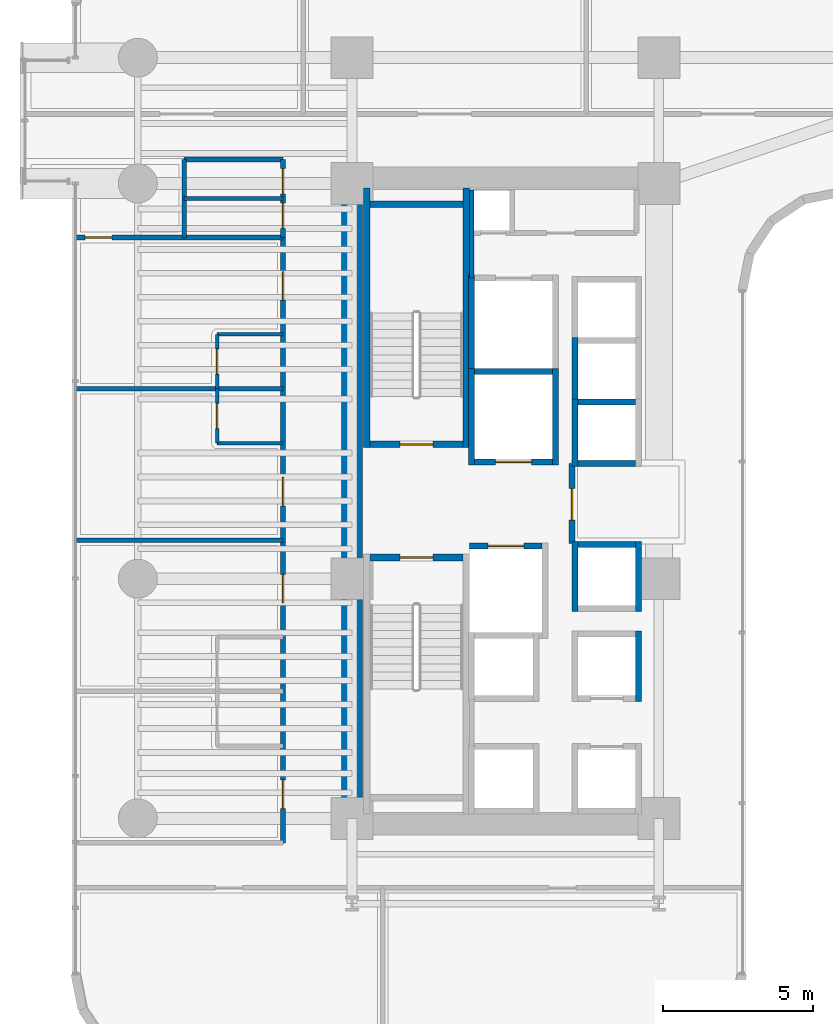
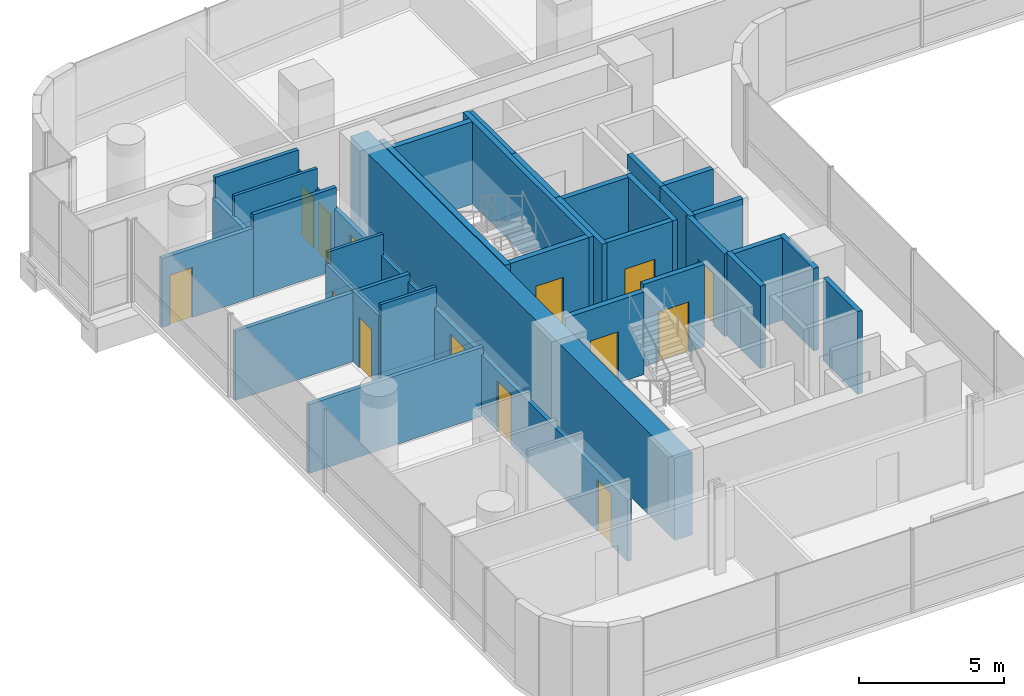
# One storey, part 32 of 40: 35 walls, 14 doors, 14 openings.
"""IFC4 building model written with IfcOpenShell, lengths in metres."""

from ifc_helpers import new_model, si_unit, direction, frame, frame_2d, origin, place, context, subcontext, project, spatial, rectangle, extrude, material, layer, layer_set, type_object, element, fill, save


model = new_model("IFC4")

# Units and contexts
model_context = context("Model", 3, precision=1e-05, world=origin(), true_north=direction((0.0, 1.0)))
body_context = subcontext(model_context, "Body", "Model", "MODEL_VIEW")
ifc_project = project(units=[si_unit("LENGTHUNIT", "METRE"), si_unit("AREAUNIT", "SQUARE_METRE"), si_unit("VOLUMEUNIT", "CUBIC_METRE"), si_unit("PLANEANGLEUNIT", "RADIAN"), si_unit("MASSUNIT", "GRAM", prefix="KILO")], contexts=[model_context])

# Site, building, storey
site_placement = place(None, origin())
site = spatial("IfcSite", under=ifc_project, at=site_placement, CompositionType="ELEMENT")
building_placement = place(site_placement, origin())
building = spatial("IfcBuilding", under=site, at=building_placement, Name="Valdorenza Pilgrim Sanctuary Tower", CompositionType="ELEMENT")
storey_placement = place(building_placement, frame((0.0, 0.0, 81.5)))
storey = spatial("IfcBuildingStorey", under=building, at=storey_placement, Name="L20", CompositionType="ELEMENT", Elevation=81.5)

# Walls
ifc_material_1 = material(Name="Acoustic twin-stud gypsum partition", Category="gypsum")
ifc_layer_1 = layer(ifc_material_1, 0.159912109375, Name="Acoustic twin-stud gypsum partition")
ifc_layer_set_1 = layer_set([ifc_layer_1], Name="Acoustic twin-stud gypsum partition")
wall_type_1 = type_object("IfcWallType", Name="WAL-COR-160", PredefinedType="PARTITIONING", material=ifc_layer_set_1)
wall_1_placement = place(storey_placement, frame((-18.64990234375, 7.449951171875, 0.0), z_axis=(0.0, 0.0, 1.0), x_axis=(0.0, 1.0, 0.0)))
element("IfcWall", 1, at=wall_1_placement, inside=storey, type_object=wall_type_1, Name="L20 Core A North Service West Wall", PredefinedType="PARTITIONING", context=body_context, shape_type="SweptSolid", body=[
    extrude(rectangle(XDim=2.929931640625, YDim=0.159912109375, at=frame_2d((1.46484375, 0.0))), origin(), (0.0, 0.0, 1.0), 3.4599609375),
])
wall_2_placement = place(storey_placement, frame((-28.25, 8.800048828125, 0.0), z_axis=(0.0, 0.0, 1.0), x_axis=(0.0, 1.0, 0.0)))
element("IfcWall", 2, at=wall_2_placement, inside=storey, type_object=wall_type_1, Name="L20 Washroom West Wall", PredefinedType="PARTITIONING", context=body_context, shape_type="SweptSolid", body=[
    extrude(rectangle(XDim=2.599853515625, YDim=0.159912109375, at=frame_2d((1.2998046875, 0.0))), origin(), (0.0, 0.0, 1.0), 2.5830078125),
])

# Wall, openings, doors
wall_3_placement = place(storey_placement, frame((-24.949951171875, 8.800048828125, 0.0), z_axis=(0.0, 0.0, 1.0), x_axis=(0.0, 1.0, 0.0)))
wall_3 = element("IfcWall", 3, at=wall_3_placement, inside=storey, type_object=wall_type_1, Name="L20 Washroom East Wall", PredefinedType="PARTITIONING", context=body_context, shape_type="SweptSolid", body=[
    extrude(rectangle(XDim=2.599853515625, YDim=0.159912109375, at=frame_2d((1.2998046875, 0.0))), origin(), (0.0, 0.0, 1.0), 2.5830078125),
])
opening_1_placement = place(wall_3_placement, frame((0.300048828125, 0.0, 0.0)))
opening_1 = element("IfcOpeningElement", 4, at=opening_1_placement, cuts=wall_3, Name="Opening DR-WC1", PredefinedType="OPENING", context=body_context, shape_type="SweptSolid", body=[
    extrude(rectangle(XDim=0.85009765625, YDim=2.10009765625, at=frame_2d((0.425048828125, 1.050048828125))), frame((0.0, 0.0947265625, 0.0), z_axis=(0.0, -1.0, 0.0), x_axis=(1.0, 0.0, 0.0)), (0.0, 0.0, 1.0), 0.189697265625),
])
opening_2_placement = place(wall_3_placement, frame((1.449951171875, 0.0, 0.0)))
opening_2 = element("IfcOpeningElement", 5, at=opening_2_placement, cuts=wall_3, Name="Opening DR-WC1", PredefinedType="OPENING", context=body_context, shape_type="SweptSolid", body=[
    extrude(rectangle(XDim=0.85009765625, YDim=2.10009765625, at=frame_2d((0.425048828125, 1.050048828125))), frame((0.0, 0.0947265625, 0.0), z_axis=(0.0, -1.0, 0.0), x_axis=(1.0, 0.0, 0.0)), (0.0, 0.0, 1.0), 0.189697265625),
])
ifc_material_2 = material(Name="Moisture-resistant lacquered timber", Category="wood")
door_type_1 = type_object("IfcDoorType", Name="DR-BATH-850", OperationType="NOTDEFINED", PredefinedType="DOOR", material=ifc_material_2)
door_1_placement = place(opening_1_placement, origin())
door_1 = element("IfcDoor", 6, at=door_1_placement, inside=storey, type_object=door_type_1, Name="L20 Accessible Washroom Door", OperationType="SINGLE_SWING_LEFT", OverallHeight=2.10009765625, OverallWidth=0.85009765625, PredefinedType="DOOR", context=body_context, shape_type="SweptSolid", body=[
    extrude(rectangle(XDim=0.85009765625, YDim=2.10009765625, at=frame_2d((0.425048828125, 1.050048828125))), frame((0.0, 0.02490234375, 0.0), z_axis=(0.0, -1.0, 0.0), x_axis=(1.0, 0.0, 0.0)), (0.0, 0.0, 1.0), 0.050048828125),
])
fill(opening_1, door_1)
door_2_placement = place(opening_2_placement, origin())
door_2 = element("IfcDoor", 7, at=door_2_placement, inside=storey, type_object=door_type_1, Name="L20 Public Washroom Door", OperationType="SINGLE_SWING_RIGHT", OverallHeight=2.10009765625, OverallWidth=0.85009765625, PredefinedType="DOOR", context=body_context, shape_type="SweptSolid", body=[
    extrude(rectangle(XDim=0.85009765625, YDim=2.10009765625, at=frame_2d((0.425048828125, 1.050048828125))), frame((0.0, 0.02490234375, 0.0), z_axis=(0.0, -1.0, 0.0), x_axis=(1.0, 0.0, 0.0)), (0.0, 0.0, 1.0), 0.050048828125),
])
fill(opening_2, door_2)

# Walls
for number, where, z_axis, x_axis, name in (
    (8, (-28.25, 8.800048828125, 0.0), (0.0, 0.0, 1.0), (1.0, 0.0, 0.0), "L20 Washroom South Wall"),
    (9, (-28.25, 11.39990234375, 0.0), (0.0, 0.0, 1.0), (1.0, 0.0, 0.0), "L20 Washroom North Wall"),
):
    element("IfcWall", number, at=place(storey_placement, frame(where, z_axis=z_axis, x_axis=x_axis)), inside=storey, type_object=wall_type_1, Name=name, PredefinedType="PARTITIONING", context=body_context, shape_type="SweptSolid", body=[
        extrude(rectangle(XDim=3.300048828125, YDim=0.159912109375, at=frame_2d((1.64990234375, 0.0))), origin(), (0.0, 0.0, 1.0), 3.4599609375),
    ])

# Wall, openings, doors
wall_4_placement = place(storey_placement, frame((-24.949951171875, -11.419921875, 0.0), z_axis=(0.0, 0.0, 1.0), x_axis=(0.0, 1.0, 0.0)))
wall_4 = element("IfcWall", 10, at=wall_4_placement, inside=storey, type_object=wall_type_1, Name="L20 West Wing Corridor Wall", PredefinedType="PARTITIONING", context=body_context, shape_type="SweptSolid", body=[
    extrude(rectangle(XDim=20.219970703125, YDim=0.159912109375, at=frame_2d((10.10986328125, 0.0))), origin(), (0.0, 0.0, 1.0), 2.5830078125),
])
opening_3_placement = place(wall_4_placement, frame((1.14208984375, 0.0, 0.0)))
opening_3 = element("IfcOpeningElement", 11, at=opening_3_placement, cuts=wall_4, Name="Opening DR-UN1", PredefinedType="OPENING", context=body_context, shape_type="SweptSolid", body=[
    extrude(rectangle(XDim=0.949951171875, YDim=2.14990234375, at=frame_2d((0.47509765625, 1.074951171875))), frame((0.0, 0.0947265625, 0.0), z_axis=(0.0, -1.0, 0.0), x_axis=(1.0, 0.0, 0.0)), (0.0, 0.0, 1.0), 0.189697265625),
])
opening_4_placement = place(wall_4_placement, frame((8.01806640625, 0.0, 0.0)))
opening_4 = element("IfcOpeningElement", 12, at=opening_4_placement, cuts=wall_4, Name="Opening DR-UN1", PredefinedType="OPENING", context=body_context, shape_type="SweptSolid", body=[
    extrude(rectangle(XDim=0.949951171875, YDim=2.14990234375, at=frame_2d((0.47509765625, 1.074951171875))), frame((0.0, 0.0947265625, 0.0), z_axis=(0.0, -1.0, 0.0), x_axis=(1.0, 0.0, 0.0)), (0.0, 0.0, 1.0), 0.189697265625),
])
opening_5_placement = place(wall_4_placement, frame((11.251953125, 0.0, 0.0)))
opening_5 = element("IfcOpeningElement", 13, at=opening_5_placement, cuts=wall_4, Name="Opening DR-UN1", PredefinedType="OPENING", context=body_context, shape_type="SweptSolid", body=[
    extrude(rectangle(XDim=0.949951171875, YDim=2.14990234375, at=frame_2d((0.47509765625, 1.074951171875))), frame((0.0, 0.0947265625, 0.0), z_axis=(0.0, -1.0, 0.0), x_axis=(1.0, 0.0, 0.0)), (0.0, 0.0, 1.0), 0.189697265625),
])
opening_6_placement = place(wall_4_placement, frame((18.126953125, 0.0, 0.0)))
opening_6 = element("IfcOpeningElement", 14, at=opening_6_placement, cuts=wall_4, Name="Opening DR-UN1", PredefinedType="OPENING", context=body_context, shape_type="SweptSolid", body=[
    extrude(rectangle(XDim=0.949951171875, YDim=2.14990234375, at=frame_2d((0.47509765625, 1.074951171875))), frame((0.0, 0.0947265625, 0.0), z_axis=(0.0, -1.0, 0.0), x_axis=(1.0, 0.0, 0.0)), (0.0, 0.0, 1.0), 0.189697265625),
])
ifc_material_3 = material(Name="Solid-core European oak timber", Category="wood")
door_type_2 = type_object("IfcDoorType", Name="DR-UNIT-950", OperationType="NOTDEFINED", PredefinedType="DOOR", material=ifc_material_3)
door_3_placement = place(opening_3_placement, origin())
door_3 = element("IfcDoor", 15, at=door_3_placement, inside=storey, type_object=door_type_2, Name="L20 Pilgrim Guest Room L20-W1 Entrance Door", OperationType="SINGLE_SWING_RIGHT", OverallHeight=2.14990234375, OverallWidth=0.949951171875, PredefinedType="DOOR", context=body_context, shape_type="SweptSolid", body=[
    extrude(rectangle(XDim=0.949951171875, YDim=2.14990234375, at=frame_2d((0.47509765625, 1.074951171875))), frame((0.0, 0.02490234375, 0.0), z_axis=(0.0, -1.0, 0.0), x_axis=(1.0, 0.0, 0.0)), (0.0, 0.0, 1.0), 0.050048828125),
])
fill(opening_3, door_3)
door_4_placement = place(opening_4_placement, origin())
door_4 = element("IfcDoor", 16, at=door_4_placement, inside=storey, type_object=door_type_2, Name="L20 Pilgrim Guest Room L20-W2 Entrance Door", OperationType="SINGLE_SWING_RIGHT", OverallHeight=2.14990234375, OverallWidth=0.949951171875, PredefinedType="DOOR", context=body_context, shape_type="SweptSolid", body=[
    extrude(rectangle(XDim=0.949951171875, YDim=2.14990234375, at=frame_2d((0.47509765625, 1.074951171875))), frame((0.0, 0.02490234375, 0.0), z_axis=(0.0, -1.0, 0.0), x_axis=(1.0, 0.0, 0.0)), (0.0, 0.0, 1.0), 0.050048828125),
])
fill(opening_4, door_4)
door_5_placement = place(opening_5_placement, origin())
door_5 = element("IfcDoor", 17, at=door_5_placement, inside=storey, type_object=door_type_2, Name="L20 Pilgrim Guest Room L20-W3 Entrance Door", OperationType="SINGLE_SWING_RIGHT", OverallHeight=2.14990234375, OverallWidth=0.949951171875, PredefinedType="DOOR", context=body_context, shape_type="SweptSolid", body=[
    extrude(rectangle(XDim=0.949951171875, YDim=2.14990234375, at=frame_2d((0.47509765625, 1.074951171875))), frame((0.0, 0.02490234375, 0.0), z_axis=(0.0, -1.0, 0.0), x_axis=(1.0, 0.0, 0.0)), (0.0, 0.0, 1.0), 0.050048828125),
])
fill(opening_5, door_5)
door_6_placement = place(opening_6_placement, origin())
door_6 = element("IfcDoor", 18, at=door_6_placement, inside=storey, type_object=door_type_2, Name="L20 Pilgrim Guest Room L20-W4 Entrance Door", OperationType="SINGLE_SWING_RIGHT", OverallHeight=2.14990234375, OverallWidth=0.949951171875, PredefinedType="DOOR", context=body_context, shape_type="SweptSolid", body=[
    extrude(rectangle(XDim=0.949951171875, YDim=2.14990234375, at=frame_2d((0.47509765625, 1.074951171875))), frame((0.0, 0.02490234375, 0.0), z_axis=(0.0, -1.0, 0.0), x_axis=(1.0, 0.0, 0.0)), (0.0, 0.0, 1.0), 0.050048828125),
])
fill(opening_6, door_6)

# Wall, opening, door
wall_5_placement = place(storey_placement, frame((-31.889892578125, 8.800048828125, 0.0), z_axis=(0.0, 0.0, 1.0), x_axis=(1.0, 0.0, 0.0)))
wall_5 = element("IfcWall", 19, at=wall_5_placement, inside=storey, type_object=wall_type_1, Name="L20 West North Alcove Wall", PredefinedType="PARTITIONING", context=body_context, shape_type="SweptSolid", body=[
    extrude(rectangle(XDim=3.639892578125, YDim=0.159912109375, at=frame_2d((1.81982421875, 0.0))), origin(), (0.0, 0.0, 1.0), 2.89599609375),
])
opening_7_placement = place(wall_5_placement, frame((0.320068359375, 0.0, 0.0)))
opening_7 = element("IfcOpeningElement", 20, at=opening_7_placement, cuts=wall_5, Name="Opening DR-RM1", PredefinedType="OPENING", context=body_context, shape_type="SweptSolid", body=[
    extrude(rectangle(XDim=0.89990234375, YDim=2.10009765625, at=frame_2d((0.449951171875, 1.050048828125))), frame((0.0, 0.0947265625, 0.0), z_axis=(0.0, -1.0, 0.0), x_axis=(1.0, 0.0, 0.0)), (0.0, 0.0, 1.0), 0.189697265625),
])
door_type_3 = type_object("IfcDoorType", Name="DR-ROOM-900", OperationType="NOTDEFINED", PredefinedType="DOOR", material=ifc_material_3)
door_7_placement = place(opening_7_placement, frame((0.89990234375, 0.0, 0.0), z_axis=(0.0, 0.0, 1.0), x_axis=(-1.0, 0.0, 0.0)))
door_7 = element("IfcDoor", 21, at=door_7_placement, inside=storey, type_object=door_type_3, Name="L20 Pilgrim Scholar Office L20-WN Door", OperationType="SINGLE_SWING_LEFT", OverallHeight=2.10009765625, OverallWidth=0.89990234375, PredefinedType="DOOR", context=body_context, shape_type="SweptSolid", body=[
    extrude(rectangle(XDim=0.89990234375, YDim=2.10009765625, at=frame_2d((0.449951171875, 1.050048828125))), frame((0.0, 0.02490234375, 0.0), z_axis=(0.0, -1.0, 0.0), x_axis=(1.0, 0.0, 0.0)), (0.0, 0.0, 1.0), 0.050048828125),
])
fill(opening_7, door_7)

# Wall
ifc_material_4 = material(Name="Concrete C60/75", Category="concrete")
ifc_layer_2 = layer(ifc_material_4, 0.699951171875, Name="Concrete C60/75")
ifc_layer_set_2 = layer_set([ifc_layer_2], Name="Concrete C60/75")
wall_type_2 = type_object("IfcWallType", Name="WAL-COR-700", PredefinedType="SHEAR", material=ifc_layer_set_2)
wall_6_placement = place(storey_placement, frame((-22.64990234375, -11.14990234375, 0.0), z_axis=(0.0, 0.0, 1.0), x_axis=(0.0, 1.0, 0.0)))
element("IfcWall", 22, at=wall_6_placement, inside=storey, type_object=wall_type_2, Name="L20 Split Core A Shear Wall W", PredefinedType="SHEAR", context=body_context, shape_type="SweptSolid", body=[
    extrude(rectangle(XDim=22.2998046875, YDim=0.699951171875, at=frame_2d((11.14990234375, 0.0))), origin(), (0.0, 0.0, 1.0), 3.4599609375),
])

# Wall, opening, door
ifc_material_5 = material(Name="Gypsum shaftwall partition", Category="gypsum")
ifc_layer_3 = layer(ifc_material_5, 0.199951171875, Name="Gypsum shaftwall partition")
ifc_layer_set_3 = layer_set([ifc_layer_3], Name="Gypsum shaftwall partition")
wall_type_3 = type_object("IfcWallType", Name="WAL-FFL-200", PredefinedType="PARTITIONING", material=ifc_layer_set_3)
wall_7_placement = place(storey_placement, frame((-15.300048828125, -1.419921875, 0.0), z_axis=(0.0, 0.0, 1.0), x_axis=(0.0, 1.0, 0.0)))
wall_7 = element("IfcWall", 23, at=wall_7_placement, inside=storey, type_object=wall_type_3, Name="L20 Core A Firefighting Lobby East Wall", PredefinedType="PARTITIONING", context=body_context, shape_type="SweptSolid", body=[
    extrude(rectangle(XDim=2.669921875, YDim=0.199951171875, at=frame_2d((1.3349609375, 0.0))), origin(), (0.0, 0.0, 1.0), 3.4599609375),
])
opening_8_placement = place(wall_7_placement, frame((0.780029296875, 0.0, 0.0)))
opening_8 = element("IfcOpeningElement", 24, at=opening_8_placement, cuts=wall_7, Name="Opening DR-FL1", PredefinedType="OPENING", context=body_context, shape_type="SweptSolid", body=[
    extrude(rectangle(XDim=1.050048828125, YDim=2.14990234375, at=frame_2d((0.52490234375, 1.074951171875))), frame((0.0, 0.11474609375, 0.0), z_axis=(0.0, -1.0, 0.0), x_axis=(1.0, 0.0, 0.0)), (0.0, 0.0, 1.0), 0.229736328125),
])
ifc_material_6 = material(Name="Painted galvanized steel", Category="steel")
door_type_4 = type_object("IfcDoorType", Name="DR-FFL-1050", OperationType="NOTDEFINED", PredefinedType="DOOR", material=ifc_material_6)
door_8_placement = place(opening_8_placement, origin())
door_8 = element("IfcDoor", 25, at=door_8_placement, inside=storey, type_object=door_type_4, Name="L20 Core A Firefighting Lobby Door", OperationType="SINGLE_SWING_RIGHT", OverallHeight=2.14990234375, OverallWidth=1.050048828125, PredefinedType="DOOR", context=body_context, shape_type="SweptSolid", body=[
    extrude(rectangle(XDim=1.050048828125, YDim=2.14990234375, at=frame_2d((0.52490234375, 1.074951171875))), frame((0.0, 0.02490234375, 0.0), z_axis=(0.0, -1.0, 0.0), x_axis=(1.0, 0.0, 0.0)), (0.0, 0.0, 1.0), 0.050048828125),
])
fill(opening_8, door_8)

# Walls
ifc_material_7 = material(Name="Moisture-resistant gypsum partition", Category="gypsum")
ifc_layer_4 = layer(ifc_material_7, 0.1201171875, Name="Moisture-resistant gypsum partition")
ifc_layer_set_4 = layer_set([ifc_layer_4], Name="Moisture-resistant gypsum partition")
wall_type_4 = type_object("IfcWallType", Name="WAL-INT-120", PredefinedType="PARTITIONING", material=ifc_layer_set_4)
wall_8_placement = place(storey_placement, frame((-28.25, 10.10009765625, 0.0), z_axis=(0.0, 0.0, 1.0), x_axis=(1.0, 0.0, 0.0)))
element("IfcWall", 26, at=wall_8_placement, inside=storey, type_object=wall_type_4, Name="L20 Washroom Divider Wall", PredefinedType="PARTITIONING", context=body_context, shape_type="SweptSolid", body=[
    extrude(rectangle(XDim=3.300048828125, YDim=0.1201171875, at=frame_2d((1.64990234375, 0.0))), origin(), (0.0, 0.0, 1.0), 3.4599609375),
])
wall_9_placement = place(storey_placement, frame((-27.14990234375, 1.925048828125, 0.0), z_axis=(0.0, 0.0, 1.0), x_axis=(1.0, 0.0, 0.0)))
element("IfcWall", 27, at=wall_9_placement, inside=storey, type_object=wall_type_4, Name="L20 Pilgrim Guest Room L20-W3 En-suite South Wall", PredefinedType="PARTITIONING", context=body_context, shape_type="SweptSolid", body=[
    extrude(rectangle(XDim=2.199951171875, YDim=0.1201171875, at=frame_2d((1.10009765625, 0.0))), origin(), (0.0, 0.0, 1.0), 3.4599609375),
])

# Wall, opening, door
wall_10_placement = place(storey_placement, frame((-27.14990234375, 1.925048828125, 0.0), z_axis=(0.0, 0.0, 1.0), x_axis=(0.0, 1.0, 0.0)))
wall_10 = element("IfcWall", 28, at=wall_10_placement, inside=storey, type_object=wall_type_4, Name="L20 Pilgrim Guest Room L20-W3 En-suite Door Wall", PredefinedType="PARTITIONING", context=body_context, shape_type="SweptSolid", body=[
    extrude(rectangle(XDim=1.820068359375, YDim=0.1201171875, at=frame_2d((0.91015625, 0.0))), origin(), (0.0, 0.0, 1.0), 2.97900390625),
])
opening_9_placement = place(wall_10_placement, frame((0.485107421875, 0.0, 0.0)))
opening_9 = element("IfcOpeningElement", 29, at=opening_9_placement, cuts=wall_10, Name="Opening DR-WC1", PredefinedType="OPENING", context=body_context, shape_type="SweptSolid", body=[
    extrude(rectangle(XDim=0.85009765625, YDim=2.10009765625, at=frame_2d((0.425048828125, 1.050048828125))), frame((0.0, 0.074951171875, 0.0), z_axis=(0.0, -1.0, 0.0), x_axis=(1.0, 0.0, 0.0)), (0.0, 0.0, 1.0), 0.14990234375),
])
door_9_placement = place(opening_9_placement, origin())
door_9 = element("IfcDoor", 30, at=door_9_placement, inside=storey, type_object=door_type_1, Name="L20 Pilgrim Guest Room L20-W3 En-suite Bathroom Door", OperationType="SINGLE_SWING_LEFT", OverallHeight=2.10009765625, OverallWidth=0.85009765625, PredefinedType="DOOR", context=body_context, shape_type="SweptSolid", body=[
    extrude(rectangle(XDim=0.85009765625, YDim=2.10009765625, at=frame_2d((0.425048828125, 1.050048828125))), frame((0.0, 0.02490234375, 0.0), z_axis=(0.0, -1.0, 0.0), x_axis=(1.0, 0.0, 0.0)), (0.0, 0.0, 1.0), 0.050048828125),
])
fill(opening_9, door_9)

# Wall
wall_11_placement = place(storey_placement, frame((-27.14990234375, 5.56494140625, 0.0), z_axis=(0.0, 0.0, 1.0), x_axis=(1.0, 0.0, 0.0)))
element("IfcWall", 31, at=wall_11_placement, inside=storey, type_object=wall_type_4, Name="L20 Pilgrim Guest Room L20-W4 En-suite North Wall", PredefinedType="PARTITIONING", context=body_context, shape_type="SweptSolid", body=[
    extrude(rectangle(XDim=2.199951171875, YDim=0.1201171875, at=frame_2d((1.10009765625, 0.0))), origin(), (0.0, 0.0, 1.0), 3.4599609375),
])

# Wall, opening, door
wall_12_placement = place(storey_placement, frame((-27.14990234375, 3.7451171875, 0.0), z_axis=(0.0, 0.0, 1.0), x_axis=(0.0, 1.0, 0.0)))
wall_12 = element("IfcWall", 32, at=wall_12_placement, inside=storey, type_object=wall_type_4, Name="L20 Pilgrim Guest Room L20-W4 En-suite Door Wall", PredefinedType="PARTITIONING", context=body_context, shape_type="SweptSolid", body=[
    extrude(rectangle(XDim=1.81982421875, YDim=0.1201171875, at=frame_2d((0.909912109375, 0.0))), origin(), (0.0, 0.0, 1.0), 2.97900390625),
])
opening_10_placement = place(wall_12_placement, frame((0.485107421875, 0.0, 0.0)))
opening_10 = element("IfcOpeningElement", 33, at=opening_10_placement, cuts=wall_12, Name="Opening DR-WC1", PredefinedType="OPENING", context=body_context, shape_type="SweptSolid", body=[
    extrude(rectangle(XDim=0.85009765625, YDim=2.10009765625, at=frame_2d((0.425048828125, 1.050048828125))), frame((0.0, 0.074951171875, 0.0), z_axis=(0.0, -1.0, 0.0), x_axis=(1.0, 0.0, 0.0)), (0.0, 0.0, 1.0), 0.14990234375),
])
door_10_placement = place(opening_10_placement, origin())
door_10 = element("IfcDoor", 34, at=door_10_placement, inside=storey, type_object=door_type_1, Name="L20 Pilgrim Guest Room L20-W4 En-suite Bathroom Door", OperationType="SINGLE_SWING_LEFT", OverallHeight=2.10009765625, OverallWidth=0.85009765625, PredefinedType="DOOR", context=body_context, shape_type="SweptSolid", body=[
    extrude(rectangle(XDim=0.85009765625, YDim=2.10009765625, at=frame_2d((0.425048828125, 1.050048828125))), frame((0.0, 0.02490234375, 0.0), z_axis=(0.0, -1.0, 0.0), x_axis=(1.0, 0.0, 0.0)), (0.0, 0.0, 1.0), 0.050048828125),
])
fill(opening_10, door_10)

# Walls
ifc_material_8 = material(Name="Autoclaved aerated concrete blockwork", Category="masonry")
ifc_layer_5 = layer(ifc_material_8, 0.199951171875, Name="Autoclaved aerated concrete blockwork")
ifc_layer_set_5 = layer_set([ifc_layer_5], Name="Autoclaved aerated concrete blockwork")
wall_type_5 = type_object("IfcWallType", Name="WAL-SHF-200", PredefinedType="MOVABLE", material=ifc_layer_set_5)
for number, where, z_axis, x_axis, name in (
    (35, (-18.64990234375, 1.199951171875, 0.0), (0.0, 0.0, 1.0), (0.0, 1.0, 0.0), "L20 Lift FFL-01 Hoistway Wall West"),
    (36, (-15.85009765625, 1.199951171875, 0.0), (0.0, 0.0, 1.0), (0.0, 1.0, 0.0), "L20 Lift FFL-01 Hoistway Wall East"),
):
    element("IfcWall", number, at=place(storey_placement, frame(where, z_axis=z_axis, x_axis=x_axis)), inside=storey, type_object=wall_type_5, Name=name, PredefinedType="MOVABLE", context=body_context, shape_type="SweptSolid", body=[
        extrude(rectangle(XDim=3.22509765625, YDim=0.199951171875, at=frame_2d((1.612548828125, 0.0))), origin(), (0.0, 0.0, 1.0), 3.4599609375),
    ])

# Wall, opening, door
wall_13_placement = place(storey_placement, frame((-18.550048828125, 1.300048828125, 0.0), z_axis=(0.0, 0.0, 1.0), x_axis=(1.0, 0.0, 0.0)))
wall_13 = element("IfcWall", 37, at=wall_13_placement, inside=storey, type_object=wall_type_5, Name="L20 Lift FFL-01 Hoistway Wall South", PredefinedType="MOVABLE", context=body_context, shape_type="SweptSolid", body=[
    extrude(rectangle(XDim=2.60009765625, YDim=0.199951171875, at=frame_2d((1.300048828125, 0.0))), origin(), (0.0, 0.0, 1.0), 3.4599609375),
])
opening_11_placement = place(wall_13_placement, frame((0.699951171875, 0.0, 0.0)))
opening_11 = element("IfcOpeningElement", 38, at=opening_11_placement, cuts=wall_13, Name="Opening LD-02", PredefinedType="OPENING", context=body_context, shape_type="SweptSolid", body=[
    extrude(rectangle(XDim=1.199951171875, YDim=2.10009765625, at=frame_2d((0.60009765625, 1.050048828125))), frame((0.0, 0.11474609375, 0.0), z_axis=(0.0, -1.0, 0.0), x_axis=(1.0, 0.0, 0.0)), (0.0, 0.0, 1.0), 0.229736328125),
])
ifc_material_9 = material(Name="Brushed stainless steel Grade 316", Category="steel")
door_type_5 = type_object("IfcDoorType", Name="DR-LFT-1200", OperationType="DOUBLE_DOOR_SLIDING", PredefinedType="DOOR", material=ifc_material_9)
door_11_placement = place(opening_11_placement, origin())
door_11 = element("IfcDoor", 39, at=door_11_placement, inside=storey, type_object=door_type_5, Name="L20 Lift FFL-01 Sliding Landing Door", OperationType="DOUBLE_DOOR_SLIDING", OverallHeight=2.10009765625, OverallWidth=1.199951171875, PredefinedType="DOOR", context=body_context, shape_type="SweptSolid", body=[
    extrude(rectangle(XDim=1.199951171875, YDim=2.10009765625, at=frame_2d((0.60009765625, 1.050048828125))), frame((0.0, 0.02490234375, 0.0), z_axis=(0.0, -1.0, 0.0), x_axis=(1.0, 0.0, 0.0)), (0.0, 0.0, 1.0), 0.050048828125),
])
fill(opening_11, door_11)

# Wall
wall_14_placement = place(storey_placement, frame((-18.550048828125, 4.324951171875, 0.0), z_axis=(0.0, 0.0, 1.0), x_axis=(1.0, 0.0, 0.0)))
element("IfcWall", 40, at=wall_14_placement, inside=storey, type_object=wall_type_5, Name="L20 Lift FFL-01 Hoistway Wall North", PredefinedType="MOVABLE", context=body_context, shape_type="SweptSolid", body=[
    extrude(rectangle(XDim=2.60009765625, YDim=0.199951171875, at=frame_2d((1.300048828125, 0.0))), origin(), (0.0, 0.0, 1.0), 3.4599609375),
])

# Wall, opening, door
wall_15_placement = place(storey_placement, frame((-18.719970703125, -1.5, 0.0), z_axis=(0.0, 0.0, 1.0), x_axis=(1.0, 0.0, 0.0)))
wall_15 = element("IfcWall", 41, at=wall_15_placement, inside=storey, type_object=wall_type_5, Name="L20 Lift FFL-02 Hoistway Wall North", PredefinedType="MOVABLE", context=body_context, shape_type="SweptSolid", body=[
    extrude(rectangle(XDim=2.419921875, YDim=0.199951171875, at=frame_2d((1.2099609375, 0.0))), origin(), (0.0, 0.0, 1.0), 3.4599609375),
])
opening_12_placement = place(wall_15_placement, frame((0.610107421875, 0.0, 0.0)))
opening_12 = element("IfcOpeningElement", 42, at=opening_12_placement, cuts=wall_15, Name="Opening LD-02", PredefinedType="OPENING", context=body_context, shape_type="SweptSolid", body=[
    extrude(rectangle(XDim=1.199951171875, YDim=2.10009765625, at=frame_2d((0.60009765625, 1.050048828125))), frame((0.0, 0.11474609375, 0.0), z_axis=(0.0, -1.0, 0.0), x_axis=(1.0, 0.0, 0.0)), (0.0, 0.0, 1.0), 0.229736328125),
])
door_12_placement = place(opening_12_placement, origin())
door_12 = element("IfcDoor", 43, at=door_12_placement, inside=storey, type_object=door_type_5, Name="L20 Lift FFL-02 Sliding Landing Door", OperationType="DOUBLE_DOOR_SLIDING", OverallHeight=2.10009765625, OverallWidth=1.199951171875, PredefinedType="DOOR", context=body_context, shape_type="SweptSolid", body=[
    extrude(rectangle(XDim=1.199951171875, YDim=2.10009765625, at=frame_2d((0.60009765625, 1.050048828125))), frame((0.0, 0.02490234375, 0.0), z_axis=(0.0, -1.0, 0.0), x_axis=(1.0, 0.0, 0.0)), (0.0, 0.0, 1.0), 0.050048828125),
])
fill(opening_12, door_12)

# Walls
wall_16_placement = place(storey_placement, frame((-18.64990234375, 4.22509765625, 0.0), z_axis=(0.0, 0.0, 1.0), x_axis=(0.0, 1.0, 0.0)))
element("IfcWall", 44, at=wall_16_placement, inside=storey, type_object=wall_type_5, Name="L20 Lift SVL-01 Hoistway Wall West", PredefinedType="MOVABLE", context=body_context, shape_type="SweptSolid", body=[
    extrude(rectangle(XDim=3.324951171875, YDim=0.199951171875, at=frame_2d((1.66259765625, 0.0))), origin(), (0.0, 0.0, 1.0), 3.4599609375),
])
wall_17_placement = place(storey_placement, frame((-13.080078125, -6.699951171875, 0.0), z_axis=(0.0, 0.0, 1.0), x_axis=(0.0, 1.0, 0.0)))
element("IfcWall", 45, at=wall_17_placement, inside=storey, type_object=wall_type_5, Name="L20 Lift PL-02 Hoistway Wall East", PredefinedType="MOVABLE", context=body_context, shape_type="SweptSolid", body=[
    extrude(rectangle(XDim=2.349853515625, YDim=0.199951171875, at=frame_2d((1.1748046875, 0.0))), origin(), (0.0, 0.0, 1.0), 3.4599609375),
])
wall_18_placement = place(storey_placement, frame((-15.199951171875, 1.14990234375, 0.0), z_axis=(0.0, 0.0, 1.0), x_axis=(0.0, 1.0, 0.0)))
element("IfcWall", 46, at=wall_18_placement, inside=storey, type_object=wall_type_5, Name="L20 Lift PL-06 Hoistway Wall West", PredefinedType="MOVABLE", context=body_context, shape_type="SweptSolid", body=[
    extrude(rectangle(XDim=2.25, YDim=0.199951171875, at=frame_2d((1.125, 0.0))), origin(), (0.0, 0.0, 1.0), 3.4599609375),
])
wall_19_placement = place(storey_placement, frame((-15.10009765625, 1.25, 0.0), z_axis=(0.0, 0.0, 1.0), x_axis=(1.0, 0.0, 0.0)))
element("IfcWall", 47, at=wall_19_placement, inside=storey, type_object=wall_type_5, Name="L20 Lift PL-06 Hoistway Wall South", PredefinedType="MOVABLE", context=body_context, shape_type="SweptSolid", body=[
    extrude(rectangle(XDim=1.920166015625, YDim=0.199951171875, at=frame_2d((0.9599609375, 0.0))), origin(), (0.0, 0.0, 1.0), 3.4599609375),
])
wall_20_placement = place(storey_placement, frame((-15.199951171875, 3.199951171875, 0.0), z_axis=(0.0, 0.0, 1.0), x_axis=(0.0, 1.0, 0.0)))
element("IfcWall", 48, at=wall_20_placement, inside=storey, type_object=wall_type_5, Name="L20 Lift PL-09 Hoistway Wall West", PredefinedType="MOVABLE", context=body_context, shape_type="SweptSolid", body=[
    extrude(rectangle(XDim=2.25, YDim=0.199951171875, at=frame_2d((1.125, 0.0))), origin(), (0.0, 0.0, 1.0), 3.4599609375),
])
wall_21_placement = place(storey_placement, frame((-15.10009765625, 3.300048828125, 0.0), z_axis=(0.0, 0.0, 1.0), x_axis=(1.0, 0.0, 0.0)))
element("IfcWall", 49, at=wall_21_placement, inside=storey, type_object=wall_type_5, Name="L20 Lift PL-09 Hoistway Wall South", PredefinedType="MOVABLE", context=body_context, shape_type="SweptSolid", body=[
    extrude(rectangle(XDim=1.920166015625, YDim=0.199951171875, at=frame_2d((0.9599609375, 0.0))), origin(), (0.0, 0.0, 1.0), 3.4599609375),
])
for number, where, z_axis, x_axis, name in (
    (50, (-15.199951171875, -3.699951171875, 0.0), (0.0, 0.0, 1.0), (0.0, 1.0, 0.0), "L20 Lift PL-12 Hoistway Wall West"),
    (51, (-13.080078125, -3.699951171875, 0.0), (0.0, 0.0, 1.0), (0.0, 1.0, 0.0), "L20 Lift PL-12 Hoistway Wall East"),
):
    element("IfcWall", number, at=place(storey_placement, frame(where, z_axis=z_axis, x_axis=x_axis)), inside=storey, type_object=wall_type_5, Name=name, PredefinedType="MOVABLE", context=body_context, shape_type="SweptSolid", body=[
        extrude(rectangle(XDim=2.349853515625, YDim=0.199951171875, at=frame_2d((1.1748046875, 0.0))), origin(), (0.0, 0.0, 1.0), 3.4599609375),
    ])
wall_22_placement = place(storey_placement, frame((-15.10009765625, -1.449951171875, 0.0), z_axis=(0.0, 0.0, 1.0), x_axis=(1.0, 0.0, 0.0)))
element("IfcWall", 52, at=wall_22_placement, inside=storey, type_object=wall_type_5, Name="L20 Lift PL-12 Hoistway Wall North", PredefinedType="MOVABLE", context=body_context, shape_type="SweptSolid", body=[
    extrude(rectangle(XDim=1.920166015625, YDim=0.199951171875, at=frame_2d((0.9599609375, 0.0))), origin(), (0.0, 0.0, 1.0), 3.4599609375),
])
ifc_material_10 = material(Name="Concrete C40/50", Category="concrete")
ifc_layer_6 = layer(ifc_material_10, 0.219970703125, Name="Concrete C40/50")
ifc_layer_set_6 = layer_set([ifc_layer_6], Name="Concrete C40/50")
wall_type_6 = type_object("IfcWallType", Name="WAL-STR-SHF-220", PredefinedType="SHEAR", material=ifc_layer_set_6)
for number, where, z_axis, x_axis, name in (
    (53, (-22.159912109375, 1.780029296875, 0.0), (0.0, 0.0, 1.0), (0.0, 1.0, 0.0), "L20 ST-A1 Structural Stairwell Wall W"),
    (54, (-18.830078125, 1.780029296875, 0.0), (0.0, 0.0, 1.0), (0.0, 1.0, 0.0), "L20 ST-A1 Structural Stairwell Wall E"),
):
    element("IfcWall", number, at=place(storey_placement, frame(where, z_axis=z_axis, x_axis=x_axis)), inside=storey, type_object=wall_type_6, Name=name, PredefinedType="SHEAR", context=body_context, shape_type="SweptSolid", body=[
        extrude(rectangle(XDim=8.669921875, YDim=0.219970703125, at=frame_2d((4.3349609375, 0.0))), origin(), (0.0, 0.0, 1.0), 3.4599609375),
    ])

# Wall, opening, door
wall_23_placement = place(storey_placement, frame((-22.050048828125, 1.889892578125, 0.0), z_axis=(0.0, 0.0, 1.0), x_axis=(1.0, 0.0, 0.0)))
wall_23 = element("IfcWall", 55, at=wall_23_placement, inside=storey, type_object=wall_type_6, Name="L20 ST-A1 Structural Stairwell Wall S", PredefinedType="SHEAR", context=body_context, shape_type="SweptSolid", body=[
    extrude(rectangle(XDim=3.110107421875, YDim=0.219970703125, at=frame_2d((1.55517578125, 0.0))), origin(), (0.0, 0.0, 1.0), 3.4599609375),
])
opening_13_placement = place(wall_23_placement, frame((1.0, 0.0, 0.0)))
opening_13 = element("IfcOpeningElement", 56, at=opening_13_placement, cuts=wall_23, Name="Opening DR-ST1", PredefinedType="OPENING", context=body_context, shape_type="SweptSolid", body=[
    extrude(rectangle(XDim=1.10009765625, YDim=2.14990234375, at=frame_2d((0.550048828125, 1.074951171875))), frame((0.0, 0.125, 0.0), z_axis=(0.0, -1.0, 0.0), x_axis=(1.0, 0.0, 0.0)), (0.0, 0.0, 1.0), 0.249755859375),
])
door_type_6 = type_object("IfcDoorType", Name="DR-STAIR-1100", OperationType="NOTDEFINED", PredefinedType="DOOR", material=ifc_material_6)
door_13_placement = place(opening_13_placement, frame((1.10009765625, 0.0, 0.0), z_axis=(0.0, 0.0, 1.0), x_axis=(-1.0, 0.0, 0.0)))
door_13 = element("IfcDoor", 57, at=door_13_placement, inside=storey, type_object=door_type_6, Name="L20 Exit Stair ST-A1 Door", OperationType="SINGLE_SWING_LEFT", OverallHeight=2.14990234375, OverallWidth=1.10009765625, PredefinedType="DOOR", context=body_context, shape_type="SweptSolid", body=[
    extrude(rectangle(XDim=1.10009765625, YDim=2.14990234375, at=frame_2d((0.550048828125, 1.074951171875))), frame((0.0, 0.02490234375, 0.0), z_axis=(0.0, -1.0, 0.0), x_axis=(1.0, 0.0, 0.0)), (0.0, 0.0, 1.0), 0.050048828125),
])
fill(opening_13, door_13)

# Wall
wall_24_placement = place(storey_placement, frame((-22.050048828125, 9.909912109375, 0.0), z_axis=(0.0, 0.0, 1.0), x_axis=(1.0, 0.0, 0.0)))
element("IfcWall", 58, at=wall_24_placement, inside=storey, type_object=wall_type_6, Name="L20 ST-A1 Structural Stairwell Wall N", PredefinedType="SHEAR", context=body_context, shape_type="SweptSolid", body=[
    extrude(rectangle(XDim=3.110107421875, YDim=0.219970703125, at=frame_2d((1.55517578125, 0.0))), origin(), (0.0, 0.0, 1.0), 3.4599609375),
])

# Wall, opening, door
wall_25_placement = place(storey_placement, frame((-22.050048828125, -1.889892578125, 0.0), z_axis=(0.0, 0.0, 1.0), x_axis=(1.0, 0.0, 0.0)))
wall_25 = element("IfcWall", 59, at=wall_25_placement, inside=storey, type_object=wall_type_6, Name="L20 ST-A2 Structural Stairwell Wall N", PredefinedType="SHEAR", context=body_context, shape_type="SweptSolid", body=[
    extrude(rectangle(XDim=3.110107421875, YDim=0.219970703125, at=frame_2d((1.55517578125, 0.0))), origin(), (0.0, 0.0, 1.0), 3.4599609375),
])
opening_14_placement = place(wall_25_placement, frame((1.0, 0.0, 0.0)))
opening_14 = element("IfcOpeningElement", 60, at=opening_14_placement, cuts=wall_25, Name="Opening DR-ST1", PredefinedType="OPENING", context=body_context, shape_type="SweptSolid", body=[
    extrude(rectangle(XDim=1.10009765625, YDim=2.14990234375, at=frame_2d((0.550048828125, 1.074951171875))), frame((0.0, 0.125, 0.0), z_axis=(0.0, -1.0, 0.0), x_axis=(1.0, 0.0, 0.0)), (0.0, 0.0, 1.0), 0.249755859375),
])
door_14_placement = place(opening_14_placement, origin())
door_14 = element("IfcDoor", 61, at=door_14_placement, inside=storey, type_object=door_type_6, Name="L20 Exit Stair ST-A2 Door", OperationType="SINGLE_SWING_RIGHT", OverallHeight=2.14990234375, OverallWidth=1.10009765625, PredefinedType="DOOR", context=body_context, shape_type="SweptSolid", body=[
    extrude(rectangle(XDim=1.10009765625, YDim=2.14990234375, at=frame_2d((0.550048828125, 1.074951171875))), frame((0.0, 0.02490234375, 0.0), z_axis=(0.0, -1.0, 0.0), x_axis=(1.0, 0.0, 0.0)), (0.0, 0.0, 1.0), 0.050048828125),
])
fill(opening_14, door_14)

# Walls
ifc_layer_7 = layer(ifc_material_1, 0.14990234375, Name="Acoustic twin-stud gypsum partition")
ifc_layer_set_7 = layer_set([ifc_layer_7], Name="Acoustic twin-stud gypsum partition")
wall_type_7 = type_object("IfcWallType", Name="WAL-UNT-150", PredefinedType="PARTITIONING", material=ifc_layer_set_7)
for number, where, z_axis, x_axis, name in (
    (62, (-31.889892578125, -1.31005859375, 0.0), (0.0, 0.0, 1.0), (1.0, 0.0, 0.0), "L20 West Demising 2"),
    (63, (-31.889892578125, 3.7451171875, 0.0), (0.0, 0.0, 1.0), (1.0, 0.0, 0.0), "L20 West Demising 3"),
):
    element("IfcWall", number, at=place(storey_placement, frame(where, z_axis=z_axis, x_axis=x_axis)), inside=storey, type_object=wall_type_7, Name=name, PredefinedType="PARTITIONING", context=body_context, shape_type="SweptSolid", body=[
        extrude(rectangle(XDim=6.93994140625, YDim=0.14990234375, at=frame_2d((3.469970703125, 0.0))), origin(), (0.0, 0.0, 1.0), 2.89599609375),
    ])

save(model, "model.ifc")
